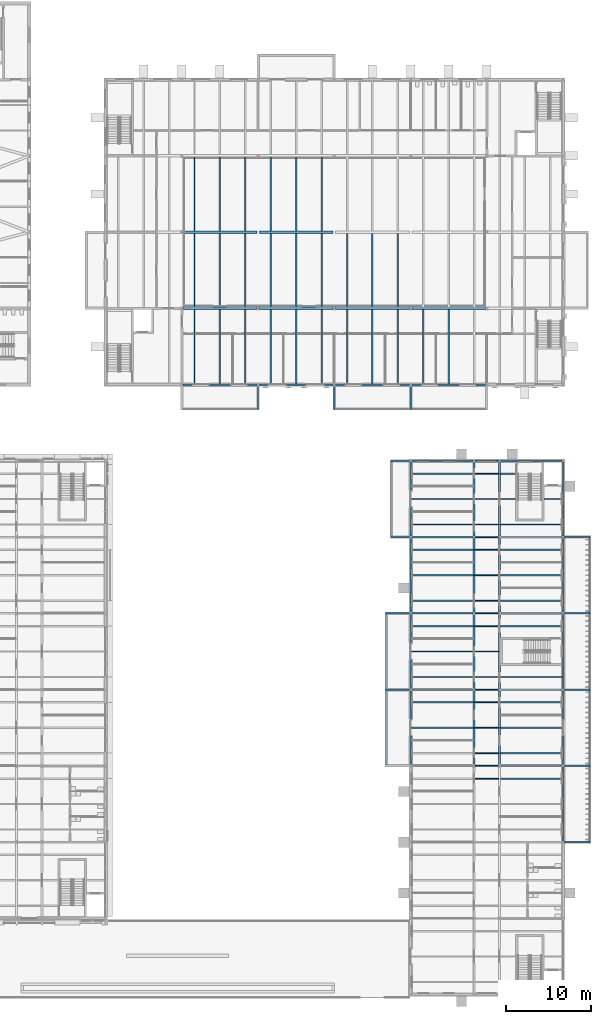
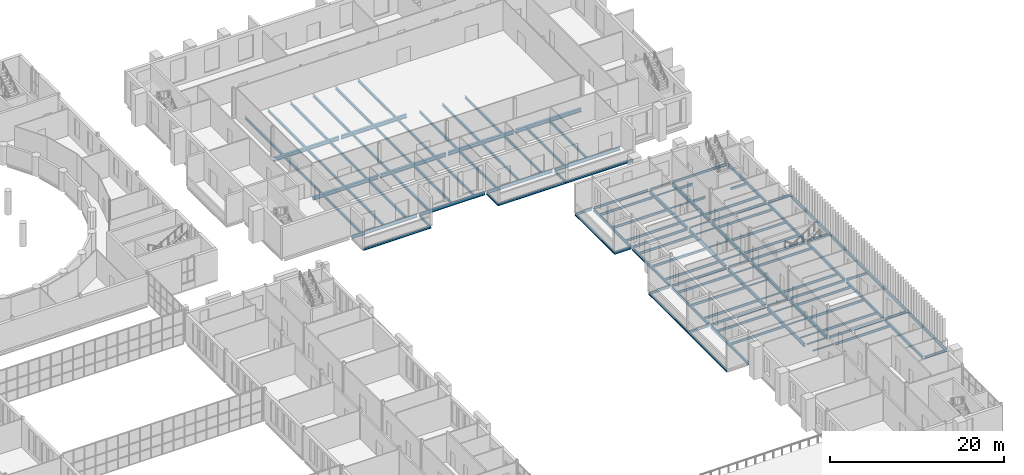
# One storey, part 52 of 134: 126 beams.
"""IFC4 building model written with IfcOpenShell, lengths in metres."""

from ifc_helpers import new_model, si_unit, direction, frame, origin, origin_2d, place, context, subcontext, project, spatial, i_section, extrude, material, material_profile, profile_set, type_object, element, save


model = new_model("IFC4")

# Units and contexts
model_context = context("Model", 3, precision=1e-05, world=origin(), true_north=direction((0.0, 1.0)))
body_context = subcontext(model_context, "Body", "Model", "MODEL_VIEW")
ifc_project = project(units=[si_unit("LENGTHUNIT", "METRE"), si_unit("AREAUNIT", "SQUARE_METRE"), si_unit("VOLUMEUNIT", "CUBIC_METRE"), si_unit("PLANEANGLEUNIT", "RADIAN"), si_unit("MASSUNIT", "GRAM", prefix="KILO")], contexts=[model_context])

# Site, building, storey
site_placement = place(None, origin())
site = spatial("IfcSite", under=ifc_project, at=site_placement, CompositionType="ELEMENT")
building_placement = place(site_placement, origin())
building = spatial("IfcBuilding", under=site, at=building_placement, Name="Golden Quay Civic Hall", CompositionType="ELEMENT")
storey_placement = place(building_placement, frame((0.0, 0.0, 5.39990234375)))
storey = spatial("IfcBuildingStorey", under=building, at=storey_placement, Name="L01", CompositionType="ELEMENT", Elevation=5.39990234375)

# Beams
ifc_material_1 = material(Name="Steel S355", Category="steel")
ifc_material_profile_1 = material_profile(ifc_material_1, i_section(OverallWidth=0.159912109375, OverallDepth=0.330078125, WebThickness=0.007568359375, FlangeThickness=0.011474609375, FilletRadius=0.01806640625, at=origin_2d()), Name="IPE 330")
ifc_profile_set_1 = profile_set([ifc_material_profile_1], Name="Steel S355")
beam_type_1 = type_object("IfcBeamType", Name="Loggia head beam IPE 330", PredefinedType="BEAM", material=ifc_profile_set_1)
for number, where, z_axis, x_axis, name in (
    (1, (174.070068359375, 9.080078125, -0.364990234375), (0.0, 1.0, 0.0), (-1.0, 0.0, 0.0), "Loggia head beam IPE 330 L01 1"),
    (2, (174.070068359375, 18.080078125, -0.364990234375), (0.0, 1.0, 0.0), (-1.0, 0.0, 0.0), "Loggia head beam IPE 330 L01 2"),
    (3, (174.070068359375, 27.080078125, -0.364990234375), (0.0, 1.0, 0.0), (-1.0, 0.0, 0.0), "Loggia head beam IPE 330 L01 3"),
    (4, (174.070068359375, 36.080078125, -0.364990234375), (0.0, 1.0, 0.0), (-1.0, 0.0, 0.0), "Loggia head beam IPE 330 L01 4"),
    (5, (150.1298828125, 18.080078125, -0.364990234375), (0.0, 1.0, 0.0), (-1.0, 0.0, 0.0), "Loggia head beam IPE 330 L01 8"),
    (6, (150.1298828125, 27.080078125, -0.364990234375), (0.0, 1.0, 0.0), (-1.0, 0.0, 0.0), "Loggia head beam IPE 330 L01 9"),
    (7, (150.72998046875, 45.080078125, -0.364990234375), (0.0, 1.0, 0.0), (-1.0, 0.0, 0.0), "Loggia head beam IPE 330 L01 10"),
    (8, (126.080078125, 60.1298828125, -0.364990234375), (1.0, 0.0, 0.0), (0.0, 1.0, 0.0), "Loggia head beam IPE 330 L01 11"),
    (9, (144.080078125, 60.1298828125, -0.364990234375), (1.0, 0.0, 0.0), (0.0, 1.0, 0.0), "Loggia head beam IPE 330 L01 12"),
    (10, (153.080078125, 60.1298828125, -0.364990234375), (1.0, 0.0, 0.0), (0.0, 1.0, 0.0), "Loggia head beam IPE 330 L01 13"),
):
    element("IfcBeam", number, at=place(storey_placement, frame(where, z_axis=z_axis, x_axis=x_axis)), inside=storey, type_object=beam_type_1, Name=name, PredefinedType="BEAM", context=body_context, shape_type="SweptSolid", body=[
        extrude(i_section(OverallWidth=0.159912109375, OverallDepth=0.330078125, WebThickness=0.007568359375, FlangeThickness=0.011474609375, FilletRadius=0.01806640625, at=origin_2d()), origin(), (0.0, 0.0, 1.0), 8.83984375),
    ])
ifc_material_2 = material(Name="Steel S355", Category="steel")
ifc_material_profile_2 = material_profile(ifc_material_2, i_section(OverallWidth=0.159912109375, OverallDepth=0.330078125, WebThickness=0.007568359375, FlangeThickness=0.011474609375, FilletRadius=0.01806640625, at=origin_2d()), Name="IPE 330")
ifc_profile_set_2 = profile_set([ifc_material_profile_2], Name="Steel S355")
beam_type_2 = type_object("IfcBeamType", Name="Loggia stub IPE 330", PredefinedType="BEAM", material=ifc_profile_set_2)
for number, where, z_axis, x_axis, name in (
    (11, (171.1201171875, 9.0, -0.364990234375), (1.0, 0.0, 0.0), (0.0, 1.0, 0.0), "Loggia stub IPE 330 L01 1"),
    (12, (171.1201171875, 18.0, -0.364990234375), (1.0, 0.0, 0.0), (0.0, 1.0, 0.0), "Loggia stub IPE 330 L01 2"),
    (13, (171.1201171875, 27.0, -0.364990234375), (1.0, 0.0, 0.0), (0.0, 1.0, 0.0), "Loggia stub IPE 330 L01 3"),
    (14, (171.1201171875, 36.0, -0.364990234375), (1.0, 0.0, 0.0), (0.0, 1.0, 0.0), "Loggia stub IPE 330 L01 4"),
    (15, (171.1201171875, 45.0, -0.364990234375), (1.0, 0.0, 0.0), (0.0, 1.0, 0.0), "Loggia stub IPE 330 L01 5"),
):
    element("IfcBeam", number, at=place(storey_placement, frame(where, z_axis=z_axis, x_axis=x_axis)), inside=storey, type_object=beam_type_2, Name=name, PredefinedType="BEAM", context=body_context, shape_type="SweptSolid", body=[
        extrude(i_section(OverallWidth=0.159912109375, OverallDepth=0.330078125, WebThickness=0.007568359375, FlangeThickness=0.011474609375, FilletRadius=0.01806640625, at=origin_2d()), origin(), (0.0, 0.0, 1.0), 3.02978515625),
    ])
for number, where, z_axis, x_axis, name in (
    (16, (152.8798828125, 27.0, -0.364990234375), (-1.0, 0.0, 0.0), (0.0, -1.0, 0.0), "Loggia stub IPE 330 L01 12"),
    (17, (152.8798828125, 36.0, -0.364990234375), (-1.0, 0.0, 0.0), (0.0, -1.0, 0.0), "Loggia stub IPE 330 L01 13"),
):
    element("IfcBeam", number, at=place(storey_placement, frame(where, z_axis=z_axis, x_axis=x_axis)), inside=storey, type_object=beam_type_2, Name=name, PredefinedType="BEAM", context=body_context, shape_type="SweptSolid", body=[
        extrude(i_section(OverallWidth=0.159912109375, OverallDepth=0.330078125, WebThickness=0.007568359375, FlangeThickness=0.011474609375, FilletRadius=0.01806640625, at=origin_2d()), origin(), (0.0, 0.0, 1.0), 2.829833984375),
    ])
for number, where, z_axis, x_axis, name in (
    (18, (152.8798828125, 45.0, -0.364990234375), (-1.0, 0.0, 0.0), (0.0, -1.0, 0.0), "Loggia stub IPE 330 L01 14"),
    (19, (152.8798828125, 54.0, -0.364990234375), (-1.0, 0.0, 0.0), (0.0, -1.0, 0.0), "Loggia stub IPE 330 L01 15"),
):
    element("IfcBeam", number, at=place(storey_placement, frame(where, z_axis=z_axis, x_axis=x_axis)), inside=storey, type_object=beam_type_2, Name=name, PredefinedType="BEAM", context=body_context, shape_type="SweptSolid", body=[
        extrude(i_section(OverallWidth=0.159912109375, OverallDepth=0.330078125, WebThickness=0.007568359375, FlangeThickness=0.011474609375, FilletRadius=0.01806640625, at=origin_2d()), origin(), (0.0, 0.0, 1.0), 2.22998046875),
    ])
for number, where, z_axis, x_axis, name in (
    (20, (135.0, 62.820068359375, -0.364990234375), (0.0, -1.0, 0.0), (1.0, 0.0, 0.0), "Loggia stub IPE 330 L01 17"),
    (21, (144.0, 62.820068359375, -0.364990234375), (0.0, -1.0, 0.0), (1.0, 0.0, 0.0), "Loggia stub IPE 330 L01 18"),
    (22, (153.0, 62.820068359375, -0.364990234375), (0.0, -1.0, 0.0), (1.0, 0.0, 0.0), "Loggia stub IPE 330 L01 19"),
):
    element("IfcBeam", number, at=place(storey_placement, frame(where, z_axis=z_axis, x_axis=x_axis)), inside=storey, type_object=beam_type_2, Name=name, PredefinedType="BEAM", context=body_context, shape_type="SweptSolid", body=[
        extrude(i_section(OverallWidth=0.159912109375, OverallDepth=0.330078125, WebThickness=0.007568359375, FlangeThickness=0.011474609375, FilletRadius=0.01806640625, at=origin_2d()), origin(), (0.0, 0.0, 1.0), 2.77001953125),
    ])
ifc_material_3 = material(Name="Steel S355", Category="steel")
ifc_material_profile_3 = material_profile(ifc_material_3, i_section(OverallWidth=0.10009765625, OverallDepth=0.199951171875, WebThickness=0.005615234375, FlangeThickness=0.008544921875, FilletRadius=0.011962890625, at=origin_2d()), Name="IPE 200")
ifc_profile_set_3 = profile_set([ifc_material_profile_3], Name="Steel S355")
beam_type_3 = type_object("IfcBeamType", Name="Steel beam IPE 200", PredefinedType="BEAM", material=ifc_profile_set_3)
for number, where, z_axis, x_axis, name in (
    (23, (160.64990234375, 18.0, -0.2998046875), (1.0, 0.0, 0.0), (0.0, 1.0, 0.0), "Beam S18-160.5"),
    (24, (160.64990234375, 27.0, -0.2998046875), (1.0, 0.0, 0.0), (0.0, 1.0, 0.0), "Beam S27-160.5"),
    (25, (160.64990234375, 36.0, -0.2998046875), (1.0, 0.0, 0.0), (0.0, 1.0, 0.0), "Beam S36-160.5"),
    (26, (160.64990234375, 45.0, -0.2998046875), (1.0, 0.0, 0.0), (0.0, 1.0, 0.0), "Beam S45-160.5"),
):
    element("IfcBeam", number, at=place(storey_placement, frame(where, z_axis=z_axis, x_axis=x_axis)), inside=storey, type_object=beam_type_3, Name=name, PredefinedType="BEAM", context=body_context, shape_type="SweptSolid", body=[
        extrude(i_section(OverallWidth=0.10009765625, OverallDepth=0.199951171875, WebThickness=0.005615234375, FlangeThickness=0.008544921875, FilletRadius=0.011962890625, at=origin_2d()), origin(), (0.0, 0.0, 1.0), 2.7001953125),
    ])
beam_1_placement = place(storey_placement, frame((160.639892578125, 54.0, -0.2998046875), z_axis=(1.0, 0.0, 0.0), x_axis=(0.0, 1.0, 0.0)))
element("IfcBeam", 27, at=beam_1_placement, inside=storey, type_object=beam_type_3, Name="Beam S54-160.5", PredefinedType="BEAM", context=body_context, shape_type="SweptSolid", body=[
    extrude(i_section(OverallWidth=0.10009765625, OverallDepth=0.199951171875, WebThickness=0.005615234375, FlangeThickness=0.008544921875, FilletRadius=0.011962890625, at=origin_2d()), origin(), (0.0, 0.0, 1.0), 2.72021484375),
])
ifc_material_4 = material(Name="Steel S355", Category="steel")
ifc_material_profile_4 = material_profile(ifc_material_4, i_section(OverallWidth=0.159912109375, OverallDepth=0.330078125, WebThickness=0.007568359375, FlangeThickness=0.011474609375, FilletRadius=0.01806640625, at=origin_2d()), Name="IPE 330")
ifc_profile_set_4 = profile_set([ifc_material_profile_4], Name="Steel S355")
beam_type_4 = type_object("IfcBeamType", Name="Steel beam IPE 330", PredefinedType="BEAM", material=ifc_profile_set_4)
for number, where, z_axis, x_axis, name in (
    (28, (163.64990234375, 18.0, -0.364990234375), (1.0, 0.0, 0.0), (0.0, 1.0, 0.0), "Beam S18-163.5"),
    (29, (153.139892578125, 27.0, -0.364990234375), (1.0, 0.0, 0.0), (0.0, 1.0, 0.0), "Beam S27-153"),
    (30, (163.64990234375, 27.0, -0.364990234375), (1.0, 0.0, 0.0), (0.0, 1.0, 0.0), "Beam S27-163.5"),
    (31, (153.139892578125, 36.0, -0.364990234375), (1.0, 0.0, 0.0), (0.0, 1.0, 0.0), "Beam S36-153"),
    (32, (163.64990234375, 36.0, -0.364990234375), (1.0, 0.0, 0.0), (0.0, 1.0, 0.0), "Beam S36-163.5"),
    (33, (153.139892578125, 45.0, -0.364990234375), (1.0, 0.0, 0.0), (0.0, 1.0, 0.0), "Beam S45-153"),
    (34, (163.64990234375, 45.0, -0.364990234375), (1.0, 0.0, 0.0), (0.0, 1.0, 0.0), "Beam S45-163.5"),
):
    element("IfcBeam", number, at=place(storey_placement, frame(where, z_axis=z_axis, x_axis=x_axis)), inside=storey, type_object=beam_type_4, Name=name, PredefinedType="BEAM", context=body_context, shape_type="SweptSolid", body=[
        extrude(i_section(OverallWidth=0.159912109375, OverallDepth=0.330078125, WebThickness=0.007568359375, FlangeThickness=0.011474609375, FilletRadius=0.01806640625, at=origin_2d()), origin(), (0.0, 0.0, 1.0), 7.210205078125),
    ])
for number, where, z_axis, x_axis, name in (
    (35, (153.139892578125, 54.0, -0.364990234375), (1.0, 0.0, 0.0), (0.0, 1.0, 0.0), "Beam S54-153"),
    (36, (163.639892578125, 54.0, -0.364990234375), (1.0, 0.0, 0.0), (0.0, 1.0, 0.0), "Beam S54-163.5"),
):
    element("IfcBeam", number, at=place(storey_placement, frame(where, z_axis=z_axis, x_axis=x_axis)), inside=storey, type_object=beam_type_4, Name=name, PredefinedType="BEAM", context=body_context, shape_type="SweptSolid", body=[
        extrude(i_section(OverallWidth=0.159912109375, OverallDepth=0.330078125, WebThickness=0.007568359375, FlangeThickness=0.011474609375, FilletRadius=0.01806640625, at=origin_2d()), origin(), (0.0, 0.0, 1.0), 7.22021484375),
    ])
ifc_material_5 = material(Name="Steel S355", Category="steel")
ifc_material_profile_5 = material_profile(ifc_material_5, i_section(OverallWidth=0.179931640625, OverallDepth=0.39990234375, WebThickness=0.008544921875, FlangeThickness=0.013427734375, FilletRadius=0.02099609375, at=origin_2d()), Name="IPE 400")
ifc_profile_set_5 = profile_set([ifc_material_profile_5], Name="Steel S355")
beam_type_5 = type_object("IfcBeamType", Name="Steel beam IPE 400", PredefinedType="BEAM", material=ifc_profile_set_5)
for number, where, z_axis, x_axis, name in (
    (37, (153.0, 18.135009765625, -0.39990234375), (0.0, 1.0, 0.0), (-1.0, 0.0, 0.0), "Beam L153-18"),
    (38, (153.0, 27.135009765625, -0.39990234375), (0.0, 1.0, 0.0), (-1.0, 0.0, 0.0), "Beam L153-27"),
    (39, (153.0, 36.135009765625, -0.39990234375), (0.0, 1.0, 0.0), (-1.0, 0.0, 0.0), "Beam L153-36"),
    (40, (153.0, 45.135009765625, -0.39990234375), (0.0, 1.0, 0.0), (-1.0, 0.0, 0.0), "Beam L153-45"),
    (41, (171.0, 9.135009765625, -0.39990234375), (0.0, 1.0, 0.0), (-1.0, 0.0, 0.0), "Beam L171-9"),
    (42, (171.0, 18.135009765625, -0.39990234375), (0.0, 1.0, 0.0), (-1.0, 0.0, 0.0), "Beam L171-18"),
    (43, (171.0, 27.135009765625, -0.39990234375), (0.0, 1.0, 0.0), (-1.0, 0.0, 0.0), "Beam L171-27"),
    (44, (171.0, 36.135009765625, -0.39990234375), (0.0, 1.0, 0.0), (-1.0, 0.0, 0.0), "Beam L171-36"),
    (45, (171.0, 45.135009765625, -0.39990234375), (0.0, 1.0, 0.0), (-1.0, 0.0, 0.0), "Beam L171-45"),
):
    element("IfcBeam", number, at=place(storey_placement, frame(where, z_axis=z_axis, x_axis=x_axis)), inside=storey, type_object=beam_type_5, Name=name, PredefinedType="BEAM", context=body_context, shape_type="SweptSolid", body=[
        extrude(i_section(OverallWidth=0.179931640625, OverallDepth=0.39990234375, WebThickness=0.008544921875, FlangeThickness=0.013427734375, FilletRadius=0.02099609375, at=origin_2d()), origin(), (0.0, 0.0, 1.0), 8.72998046875),
    ])
ifc_material_6 = material(Name="Steel S355", Category="steel")
ifc_material_profile_6 = material_profile(ifc_material_6, i_section(OverallWidth=0.199951171875, OverallDepth=0.5, WebThickness=0.01025390625, FlangeThickness=0.01611328125, FilletRadius=0.02099609375, at=origin_2d()), Name="IPE 500")
ifc_profile_set_6 = profile_set([ifc_material_profile_6], Name="Steel S355")
beam_type_6 = type_object("IfcBeamType", Name="Steel beam IPE 500", PredefinedType="BEAM", material=ifc_profile_set_6)
for number, where, z_axis, x_axis, name in (
    (46, (160.5, 18.14501953125, -0.449951171875), (0.0, 1.0, 0.0), (-1.0, 0.0, 0.0), "Beam L160.5-18"),
    (47, (160.5, 27.14501953125, -0.449951171875), (0.0, 1.0, 0.0), (-1.0, 0.0, 0.0), "Beam L160.5-27"),
    (48, (160.5, 36.14501953125, -0.449951171875), (0.0, 1.0, 0.0), (-1.0, 0.0, 0.0), "Beam L160.5-36"),
):
    element("IfcBeam", number, at=place(storey_placement, frame(where, z_axis=z_axis, x_axis=x_axis)), inside=storey, type_object=beam_type_6, Name=name, PredefinedType="BEAM", context=body_context, shape_type="SweptSolid", body=[
        extrude(i_section(OverallWidth=0.199951171875, OverallDepth=0.5, WebThickness=0.01025390625, FlangeThickness=0.01611328125, FilletRadius=0.02099609375, at=origin_2d()), origin(), (0.0, 0.0, 1.0), 8.7099609375),
    ])
beam_2_placement = place(storey_placement, frame((160.5, 45.14501953125, -0.449951171875), z_axis=(0.0, 1.0, 0.0), x_axis=(-1.0, 0.0, 0.0)))
element("IfcBeam", 49, at=beam_2_placement, inside=storey, type_object=beam_type_6, Name="Beam L160.5-45", PredefinedType="BEAM", context=body_context, shape_type="SweptSolid", body=[
    extrude(i_section(OverallWidth=0.199951171875, OverallDepth=0.5, WebThickness=0.01025390625, FlangeThickness=0.01611328125, FilletRadius=0.02099609375, at=origin_2d()), origin(), (0.0, 0.0, 1.0), 8.719970703125),
])
for number, where, z_axis, x_axis, name in (
    (50, (163.5, 18.14501953125, -0.449951171875), (0.0, 1.0, 0.0), (-1.0, 0.0, 0.0), "Beam L163.5-18"),
    (51, (163.5, 27.14501953125, -0.449951171875), (0.0, 1.0, 0.0), (-1.0, 0.0, 0.0), "Beam L163.5-27"),
    (52, (163.5, 36.14501953125, -0.449951171875), (0.0, 1.0, 0.0), (-1.0, 0.0, 0.0), "Beam L163.5-36"),
):
    element("IfcBeam", number, at=place(storey_placement, frame(where, z_axis=z_axis, x_axis=x_axis)), inside=storey, type_object=beam_type_6, Name=name, PredefinedType="BEAM", context=body_context, shape_type="SweptSolid", body=[
        extrude(i_section(OverallWidth=0.199951171875, OverallDepth=0.5, WebThickness=0.01025390625, FlangeThickness=0.01611328125, FilletRadius=0.02099609375, at=origin_2d()), origin(), (0.0, 0.0, 1.0), 8.7099609375),
    ])
beam_3_placement = place(storey_placement, frame((163.5, 45.14501953125, -0.449951171875), z_axis=(0.0, 1.0, 0.0), x_axis=(-1.0, 0.0, 0.0)))
element("IfcBeam", 53, at=beam_3_placement, inside=storey, type_object=beam_type_6, Name="Beam L163.5-45", PredefinedType="BEAM", context=body_context, shape_type="SweptSolid", body=[
    extrude(i_section(OverallWidth=0.199951171875, OverallDepth=0.5, WebThickness=0.01025390625, FlangeThickness=0.01611328125, FilletRadius=0.02099609375, at=origin_2d()), origin(), (0.0, 0.0, 1.0), 8.719970703125),
])
ifc_material_7 = material(Name="Steel S355", Category="steel")
ifc_material_profile_7 = material_profile(ifc_material_7, i_section(OverallWidth=0.18994140625, OverallDepth=0.449951171875, WebThickness=0.009521484375, FlangeThickness=0.0146484375, FilletRadius=0.02099609375, at=origin_2d()), Name="IPE 450")
ifc_profile_set_7 = profile_set([ifc_material_profile_7], Name="Steel S355")
beam_type_7 = type_object("IfcBeamType", Name="Steel edge beam IPE 450", PredefinedType="BEAM", material=ifc_profile_set_7)
for number, where, z_axis, x_axis, name in (
    (54, (126.14990234375, 63.0, -0.4248046875), (1.0, 0.0, 0.0), (0.0, 1.0, 0.0), "L01 edge beam 0-2"),
    (55, (135.14990234375, 63.0, -0.4248046875), (1.0, 0.0, 0.0), (0.0, 1.0, 0.0), "L01 edge beam 0-3"),
    (56, (144.14990234375, 63.0, -0.4248046875), (1.0, 0.0, 0.0), (0.0, 1.0, 0.0), "L01 edge beam 0-4"),
    (57, (153.14990234375, 63.0, -0.4248046875), (1.0, 0.0, 0.0), (0.0, 1.0, 0.0), "L01 edge beam 0-5"),
):
    element("IfcBeam", number, at=place(storey_placement, frame(where, z_axis=z_axis, x_axis=x_axis)), inside=storey, type_object=beam_type_7, Name=name, PredefinedType="BEAM", context=body_context, shape_type="SweptSolid", body=[
        extrude(i_section(OverallWidth=0.18994140625, OverallDepth=0.449951171875, WebThickness=0.009521484375, FlangeThickness=0.0146484375, FilletRadius=0.02099609375, at=origin_2d()), origin(), (0.0, 0.0, 1.0), 8.7001953125),
    ])
ifc_material_8 = material(Name="Steel S355", Category="steel")
ifc_material_profile_8 = material_profile(ifc_material_8, i_section(OverallWidth=0.300048828125, OverallDepth=0.489990234375, WebThickness=0.011962890625, FlangeThickness=0.02294921875, FilletRadius=0.027099609375, at=origin_2d()), Name="HEA 500")
ifc_profile_set_8 = profile_set([ifc_material_profile_8], Name="Steel S355")
beam_type_8 = type_object("IfcBeamType", Name="Steel girder HEA 500", PredefinedType="BEAM", material=ifc_profile_set_8)
for number, where, z_axis, x_axis, name in (
    (58, (126.14990234375, 72.0, -0.44482421875), (1.0, 0.0, 0.0), (0.0, 1.0, 0.0), "L01 girder 9-2"),
    (59, (135.14990234375, 72.0, -0.44482421875), (1.0, 0.0, 0.0), (0.0, 1.0, 0.0), "L01 girder 9-3"),
    (60, (144.14990234375, 72.0, -0.44482421875), (1.0, 0.0, 0.0), (0.0, 1.0, 0.0), "L01 girder 9-4"),
    (61, (153.14990234375, 72.0, -0.44482421875), (1.0, 0.0, 0.0), (0.0, 1.0, 0.0), "L01 girder 9-5"),
    (62, (126.14990234375, 81.0, -0.44482421875), (1.0, 0.0, 0.0), (0.0, 1.0, 0.0), "L01 girder 18-2"),
    (63, (135.14990234375, 81.0, -0.44482421875), (1.0, 0.0, 0.0), (0.0, 1.0, 0.0), "L01 girder 18-3"),
):
    element("IfcBeam", number, at=place(storey_placement, frame(where, z_axis=z_axis, x_axis=x_axis)), inside=storey, type_object=beam_type_8, Name=name, PredefinedType="BEAM", context=body_context, shape_type="SweptSolid", body=[
        extrude(i_section(OverallWidth=0.300048828125, OverallDepth=0.489990234375, WebThickness=0.011962890625, FlangeThickness=0.02294921875, FilletRadius=0.027099609375, at=origin_2d()), origin(), (0.0, 0.0, 1.0), 8.7001953125),
    ])
ifc_material_9 = material(Name="Steel S355", Category="steel")
ifc_material_profile_9 = material_profile(ifc_material_9, i_section(OverallWidth=0.10009765625, OverallDepth=0.199951171875, WebThickness=0.005615234375, FlangeThickness=0.008544921875, FilletRadius=0.011962890625, at=origin_2d()), Name="IPE 200")
ifc_profile_set_9 = profile_set([ifc_material_profile_9], Name="Steel S355")
beam_type_9 = type_object("IfcBeamType", Name="Steel joist IPE 200", PredefinedType="JOIST", material=ifc_profile_set_9)
for number, where, z_axis, x_axis, name in (
    (64, (160.60009765625, 16.5, -0.2998046875), (1.0, 0.0, 0.0), (0.0, 1.0, 0.0), "Joist J16.5-160.5"),
    (65, (160.60009765625, 19.5, -0.2998046875), (1.0, 0.0, 0.0), (0.0, 1.0, 0.0), "Joist J19.5-160.5"),
    (66, (160.60009765625, 22.5, -0.2998046875), (1.0, 0.0, 0.0), (0.0, 1.0, 0.0), "Joist J22.5-160.5"),
    (67, (160.60009765625, 25.5, -0.2998046875), (1.0, 0.0, 0.0), (0.0, 1.0, 0.0), "Joist J25.5-160.5"),
    (68, (160.60009765625, 28.5, -0.2998046875), (1.0, 0.0, 0.0), (0.0, 1.0, 0.0), "Joist J28.5-160.5"),
    (69, (160.60009765625, 31.5, -0.2998046875), (1.0, 0.0, 0.0), (0.0, 1.0, 0.0), "Joist J31.5-160.5"),
    (70, (160.60009765625, 34.5, -0.2998046875), (1.0, 0.0, 0.0), (0.0, 1.0, 0.0), "Joist J34.5-160.5"),
    (71, (160.60009765625, 37.5, -0.2998046875), (1.0, 0.0, 0.0), (0.0, 1.0, 0.0), "Joist J37.5-160.5"),
    (72, (160.60009765625, 40.5, -0.2998046875), (1.0, 0.0, 0.0), (0.0, 1.0, 0.0), "Joist J40.5-160.5"),
    (73, (160.60009765625, 43.5, -0.2998046875), (1.0, 0.0, 0.0), (0.0, 1.0, 0.0), "Joist J43.5-160.5"),
    (74, (160.60009765625, 46.5, -0.2998046875), (1.0, 0.0, 0.0), (0.0, 1.0, 0.0), "Joist J46.5-160.5"),
    (75, (160.60009765625, 49.5, -0.2998046875), (1.0, 0.0, 0.0), (0.0, 1.0, 0.0), "Joist J49.5-160.5"),
    (76, (160.60009765625, 52.5, -0.2998046875), (1.0, 0.0, 0.0), (0.0, 1.0, 0.0), "Joist J52.5-160.5"),
):
    element("IfcBeam", number, at=place(storey_placement, frame(where, z_axis=z_axis, x_axis=x_axis)), inside=storey, type_object=beam_type_9, Name=name, PredefinedType="JOIST", context=body_context, shape_type="SweptSolid", body=[
        extrude(i_section(OverallWidth=0.10009765625, OverallDepth=0.199951171875, WebThickness=0.005615234375, FlangeThickness=0.008544921875, FilletRadius=0.011962890625, at=origin_2d()), origin(), (0.0, 0.0, 1.0), 2.7998046875),
    ])
ifc_material_10 = material(Name="Steel S355", Category="steel")
ifc_material_profile_10 = material_profile(ifc_material_10, i_section(OverallWidth=0.159912109375, OverallDepth=0.330078125, WebThickness=0.007568359375, FlangeThickness=0.011474609375, FilletRadius=0.01806640625, at=origin_2d()), Name="IPE 330")
ifc_profile_set_10 = profile_set([ifc_material_profile_10], Name="Steel S355")
beam_type_10 = type_object("IfcBeamType", Name="Steel joist IPE 330", PredefinedType="JOIST", material=ifc_profile_set_10)
for number, where, z_axis, x_axis, name in (
    (77, (163.60009765625, 16.5, -0.364990234375), (1.0, 0.0, 0.0), (0.0, 1.0, 0.0), "Joist J16.5-163.5"),
    (78, (163.60009765625, 19.5, -0.364990234375), (1.0, 0.0, 0.0), (0.0, 1.0, 0.0), "Joist J19.5-163.5"),
    (79, (153.090087890625, 22.5, -0.364990234375), (1.0, 0.0, 0.0), (0.0, 1.0, 0.0), "Joist J22.5-153"),
    (80, (163.60009765625, 22.5, -0.364990234375), (1.0, 0.0, 0.0), (0.0, 1.0, 0.0), "Joist J22.5-163.5"),
    (81, (153.090087890625, 25.5, -0.364990234375), (1.0, 0.0, 0.0), (0.0, 1.0, 0.0), "Joist J25.5-153"),
    (82, (163.60009765625, 25.5, -0.364990234375), (1.0, 0.0, 0.0), (0.0, 1.0, 0.0), "Joist J25.5-163.5"),
    (83, (153.090087890625, 28.5, -0.364990234375), (1.0, 0.0, 0.0), (0.0, 1.0, 0.0), "Joist J28.5-153"),
    (84, (163.60009765625, 28.5, -0.364990234375), (1.0, 0.0, 0.0), (0.0, 1.0, 0.0), "Joist J28.5-163.5"),
    (85, (153.090087890625, 31.5, -0.364990234375), (1.0, 0.0, 0.0), (0.0, 1.0, 0.0), "Joist J31.5-153"),
    (86, (153.090087890625, 34.5, -0.364990234375), (1.0, 0.0, 0.0), (0.0, 1.0, 0.0), "Joist J34.5-153"),
    (87, (163.60009765625, 34.5, -0.364990234375), (1.0, 0.0, 0.0), (0.0, 1.0, 0.0), "Joist J34.5-163.5"),
    (88, (153.090087890625, 37.5, -0.364990234375), (1.0, 0.0, 0.0), (0.0, 1.0, 0.0), "Joist J37.5-153"),
    (89, (163.60009765625, 37.5, -0.364990234375), (1.0, 0.0, 0.0), (0.0, 1.0, 0.0), "Joist J37.5-163.5"),
    (90, (153.090087890625, 40.5, -0.364990234375), (1.0, 0.0, 0.0), (0.0, 1.0, 0.0), "Joist J40.5-153"),
    (91, (163.60009765625, 40.5, -0.364990234375), (1.0, 0.0, 0.0), (0.0, 1.0, 0.0), "Joist J40.5-163.5"),
    (92, (153.090087890625, 43.5, -0.364990234375), (1.0, 0.0, 0.0), (0.0, 1.0, 0.0), "Joist J43.5-153"),
    (93, (163.60009765625, 43.5, -0.364990234375), (1.0, 0.0, 0.0), (0.0, 1.0, 0.0), "Joist J43.5-163.5"),
    (94, (153.090087890625, 46.5, -0.364990234375), (1.0, 0.0, 0.0), (0.0, 1.0, 0.0), "Joist J46.5-153"),
    (95, (163.60009765625, 46.5, -0.364990234375), (1.0, 0.0, 0.0), (0.0, 1.0, 0.0), "Joist J46.5-163.5"),
    (96, (153.090087890625, 49.5, -0.364990234375), (1.0, 0.0, 0.0), (0.0, 1.0, 0.0), "Joist J49.5-153"),
):
    element("IfcBeam", number, at=place(storey_placement, frame(where, z_axis=z_axis, x_axis=x_axis)), inside=storey, type_object=beam_type_10, Name=name, PredefinedType="JOIST", context=body_context, shape_type="SweptSolid", body=[
        extrude(i_section(OverallWidth=0.159912109375, OverallDepth=0.330078125, WebThickness=0.007568359375, FlangeThickness=0.011474609375, FilletRadius=0.01806640625, at=origin_2d()), origin(), (0.0, 0.0, 1.0), 7.309814453125),
    ])
beam_4_placement = place(storey_placement, frame((163.60009765625, 49.5, -0.364990234375), z_axis=(1.0, 0.0, 0.0), x_axis=(0.0, 1.0, 0.0)))
element("IfcBeam", 97, at=beam_4_placement, inside=storey, type_object=beam_type_10, Name="Joist J49.5-163.5-0", PredefinedType="JOIST", context=body_context, shape_type="SweptSolid", body=[
    extrude(i_section(OverallWidth=0.159912109375, OverallDepth=0.330078125, WebThickness=0.007568359375, FlangeThickness=0.011474609375, FilletRadius=0.01806640625, at=origin_2d()), origin(), (0.0, 0.0, 1.0), 1.7998046875),
])
beam_5_placement = place(storey_placement, frame((168.75, 49.5, -0.364990234375), z_axis=(1.0, 0.0, 0.0), x_axis=(0.0, 1.0, 0.0)))
element("IfcBeam", 98, at=beam_5_placement, inside=storey, type_object=beam_type_10, Name="Joist J49.5-163.5-1", PredefinedType="JOIST", context=body_context, shape_type="SweptSolid", body=[
    extrude(i_section(OverallWidth=0.159912109375, OverallDepth=0.330078125, WebThickness=0.007568359375, FlangeThickness=0.011474609375, FilletRadius=0.01806640625, at=origin_2d()), origin(), (0.0, 0.0, 1.0), 2.159912109375),
])
beam_6_placement = place(storey_placement, frame((153.090087890625, 52.5, -0.364990234375), z_axis=(1.0, 0.0, 0.0), x_axis=(0.0, 1.0, 0.0)))
element("IfcBeam", 99, at=beam_6_placement, inside=storey, type_object=beam_type_10, Name="Joist J52.5-153", PredefinedType="JOIST", context=body_context, shape_type="SweptSolid", body=[
    extrude(i_section(OverallWidth=0.159912109375, OverallDepth=0.330078125, WebThickness=0.007568359375, FlangeThickness=0.011474609375, FilletRadius=0.01806640625, at=origin_2d()), origin(), (0.0, 0.0, 1.0), 7.309814453125),
])
beam_7_placement = place(storey_placement, frame((163.60009765625, 52.5, -0.364990234375), z_axis=(1.0, 0.0, 0.0), x_axis=(0.0, 1.0, 0.0)))
element("IfcBeam", 100, at=beam_7_placement, inside=storey, type_object=beam_type_10, Name="Joist J52.5-163.5-0", PredefinedType="JOIST", context=body_context, shape_type="SweptSolid", body=[
    extrude(i_section(OverallWidth=0.159912109375, OverallDepth=0.330078125, WebThickness=0.007568359375, FlangeThickness=0.011474609375, FilletRadius=0.01806640625, at=origin_2d()), origin(), (0.0, 0.0, 1.0), 1.7998046875),
])
ifc_material_11 = material(Name="Steel S355", Category="steel")
ifc_material_profile_11 = material_profile(ifc_material_11, i_section(OverallWidth=0.169921875, OverallDepth=0.360107421875, WebThickness=0.008056640625, FlangeThickness=0.0126953125, FilletRadius=0.01806640625, at=origin_2d()), Name="IPE 360")
ifc_profile_set_11 = profile_set([ifc_material_profile_11], Name="Steel S355")
beam_type_11 = type_object("IfcBeamType", Name="Steel joist IPE 360", PredefinedType="JOIST", material=ifc_profile_set_11)
for number, where, z_axis, x_axis, name in (
    (101, (127.5, 63.094970703125, -0.3798828125), (0.0, 1.0, 0.0), (-1.0, 0.0, 0.0), "L01 joist 2.1.1"),
    (102, (130.5, 63.094970703125, -0.3798828125), (0.0, 1.0, 0.0), (-1.0, 0.0, 0.0), "L01 joist 2.1.2"),
    (103, (133.5, 63.094970703125, -0.3798828125), (0.0, 1.0, 0.0), (-1.0, 0.0, 0.0), "L01 joist 2.1.3"),
):
    element("IfcBeam", number, at=place(storey_placement, frame(where, z_axis=z_axis, x_axis=x_axis)), inside=storey, type_object=beam_type_11, Name=name, PredefinedType="JOIST", context=body_context, shape_type="SweptSolid", body=[
        extrude(i_section(OverallWidth=0.169921875, OverallDepth=0.360107421875, WebThickness=0.008056640625, FlangeThickness=0.0126953125, FilletRadius=0.01806640625, at=origin_2d()), origin(), (0.0, 0.0, 1.0), 8.755126953125),
    ])
for number, where, z_axis, x_axis, name in (
    (104, (127.5, 72.14990234375, -0.3798828125), (0.0, 1.0, 0.0), (-1.0, 0.0, 0.0), "L01 joist 2.2.1"),
    (105, (130.5, 72.14990234375, -0.3798828125), (0.0, 1.0, 0.0), (-1.0, 0.0, 0.0), "L01 joist 2.2.2"),
    (106, (133.5, 72.14990234375, -0.3798828125), (0.0, 1.0, 0.0), (-1.0, 0.0, 0.0), "L01 joist 2.2.3"),
    (107, (127.5, 81.14990234375, -0.3798828125), (0.0, 1.0, 0.0), (-1.0, 0.0, 0.0), "L01 joist 2.3.1"),
    (108, (130.5, 81.14990234375, -0.3798828125), (0.0, 1.0, 0.0), (-1.0, 0.0, 0.0), "L01 joist 2.3.2"),
    (109, (133.5, 81.14990234375, -0.3798828125), (0.0, 1.0, 0.0), (-1.0, 0.0, 0.0), "L01 joist 2.3.3"),
):
    element("IfcBeam", number, at=place(storey_placement, frame(where, z_axis=z_axis, x_axis=x_axis)), inside=storey, type_object=beam_type_11, Name=name, PredefinedType="JOIST", context=body_context, shape_type="SweptSolid", body=[
        extrude(i_section(OverallWidth=0.169921875, OverallDepth=0.360107421875, WebThickness=0.008056640625, FlangeThickness=0.0126953125, FilletRadius=0.01806640625, at=origin_2d()), origin(), (0.0, 0.0, 1.0), 8.7001953125),
    ])
for number, where, z_axis, x_axis, name in (
    (110, (136.5, 63.094970703125, -0.3798828125), (0.0, 1.0, 0.0), (-1.0, 0.0, 0.0), "L01 joist 3.1.1"),
    (111, (139.5, 63.094970703125, -0.3798828125), (0.0, 1.0, 0.0), (-1.0, 0.0, 0.0), "L01 joist 3.1.2"),
    (112, (142.5, 63.094970703125, -0.3798828125), (0.0, 1.0, 0.0), (-1.0, 0.0, 0.0), "L01 joist 3.1.3"),
):
    element("IfcBeam", number, at=place(storey_placement, frame(where, z_axis=z_axis, x_axis=x_axis)), inside=storey, type_object=beam_type_11, Name=name, PredefinedType="JOIST", context=body_context, shape_type="SweptSolid", body=[
        extrude(i_section(OverallWidth=0.169921875, OverallDepth=0.360107421875, WebThickness=0.008056640625, FlangeThickness=0.0126953125, FilletRadius=0.01806640625, at=origin_2d()), origin(), (0.0, 0.0, 1.0), 8.755126953125),
    ])
for number, where, z_axis, x_axis, name in (
    (113, (136.5, 72.14990234375, -0.3798828125), (0.0, 1.0, 0.0), (-1.0, 0.0, 0.0), "L01 joist 3.2.1"),
    (114, (139.5, 72.14990234375, -0.3798828125), (0.0, 1.0, 0.0), (-1.0, 0.0, 0.0), "L01 joist 3.2.2"),
    (115, (142.5, 72.14990234375, -0.3798828125), (0.0, 1.0, 0.0), (-1.0, 0.0, 0.0), "L01 joist 3.2.3"),
    (116, (136.5, 81.14990234375, -0.3798828125), (0.0, 1.0, 0.0), (-1.0, 0.0, 0.0), "L01 joist 3.3.1"),
    (117, (139.5, 81.14990234375, -0.3798828125), (0.0, 1.0, 0.0), (-1.0, 0.0, 0.0), "L01 joist 3.3.2"),
    (118, (142.5, 81.14990234375, -0.3798828125), (0.0, 1.0, 0.0), (-1.0, 0.0, 0.0), "L01 joist 3.3.3"),
):
    element("IfcBeam", number, at=place(storey_placement, frame(where, z_axis=z_axis, x_axis=x_axis)), inside=storey, type_object=beam_type_11, Name=name, PredefinedType="JOIST", context=body_context, shape_type="SweptSolid", body=[
        extrude(i_section(OverallWidth=0.169921875, OverallDepth=0.360107421875, WebThickness=0.008056640625, FlangeThickness=0.0126953125, FilletRadius=0.01806640625, at=origin_2d()), origin(), (0.0, 0.0, 1.0), 8.7001953125),
    ])
for number, where, z_axis, x_axis, name in (
    (119, (145.5, 63.094970703125, -0.3798828125), (0.0, 1.0, 0.0), (-1.0, 0.0, 0.0), "L01 joist 4.1.1"),
    (120, (148.5, 63.094970703125, -0.3798828125), (0.0, 1.0, 0.0), (-1.0, 0.0, 0.0), "L01 joist 4.1.2"),
    (121, (151.5, 63.094970703125, -0.3798828125), (0.0, 1.0, 0.0), (-1.0, 0.0, 0.0), "L01 joist 4.1.3"),
):
    element("IfcBeam", number, at=place(storey_placement, frame(where, z_axis=z_axis, x_axis=x_axis)), inside=storey, type_object=beam_type_11, Name=name, PredefinedType="JOIST", context=body_context, shape_type="SweptSolid", body=[
        extrude(i_section(OverallWidth=0.169921875, OverallDepth=0.360107421875, WebThickness=0.008056640625, FlangeThickness=0.0126953125, FilletRadius=0.01806640625, at=origin_2d()), origin(), (0.0, 0.0, 1.0), 8.755126953125),
    ])
for number, where, z_axis, x_axis, name in (
    (122, (145.5, 72.14990234375, -0.3798828125), (0.0, 1.0, 0.0), (-1.0, 0.0, 0.0), "L01 joist 4.2.1"),
    (123, (148.5, 72.14990234375, -0.3798828125), (0.0, 1.0, 0.0), (-1.0, 0.0, 0.0), "L01 joist 4.2.2"),
    (124, (151.5, 72.14990234375, -0.3798828125), (0.0, 1.0, 0.0), (-1.0, 0.0, 0.0), "L01 joist 4.2.3"),
):
    element("IfcBeam", number, at=place(storey_placement, frame(where, z_axis=z_axis, x_axis=x_axis)), inside=storey, type_object=beam_type_11, Name=name, PredefinedType="JOIST", context=body_context, shape_type="SweptSolid", body=[
        extrude(i_section(OverallWidth=0.169921875, OverallDepth=0.360107421875, WebThickness=0.008056640625, FlangeThickness=0.0126953125, FilletRadius=0.01806640625, at=origin_2d()), origin(), (0.0, 0.0, 1.0), 8.7001953125),
    ])
for number, where, z_axis, x_axis, name in (
    (125, (154.5, 63.094970703125, -0.3798828125), (0.0, 1.0, 0.0), (-1.0, 0.0, 0.0), "L01 joist 5.1.1"),
    (126, (157.5, 63.094970703125, -0.3798828125), (0.0, 1.0, 0.0), (-1.0, 0.0, 0.0), "L01 joist 5.1.2"),
):
    element("IfcBeam", number, at=place(storey_placement, frame(where, z_axis=z_axis, x_axis=x_axis)), inside=storey, type_object=beam_type_11, Name=name, PredefinedType="JOIST", context=body_context, shape_type="SweptSolid", body=[
        extrude(i_section(OverallWidth=0.169921875, OverallDepth=0.360107421875, WebThickness=0.008056640625, FlangeThickness=0.0126953125, FilletRadius=0.01806640625, at=origin_2d()), origin(), (0.0, 0.0, 1.0), 8.755126953125),
    ])

save(model, "model.ifc")
